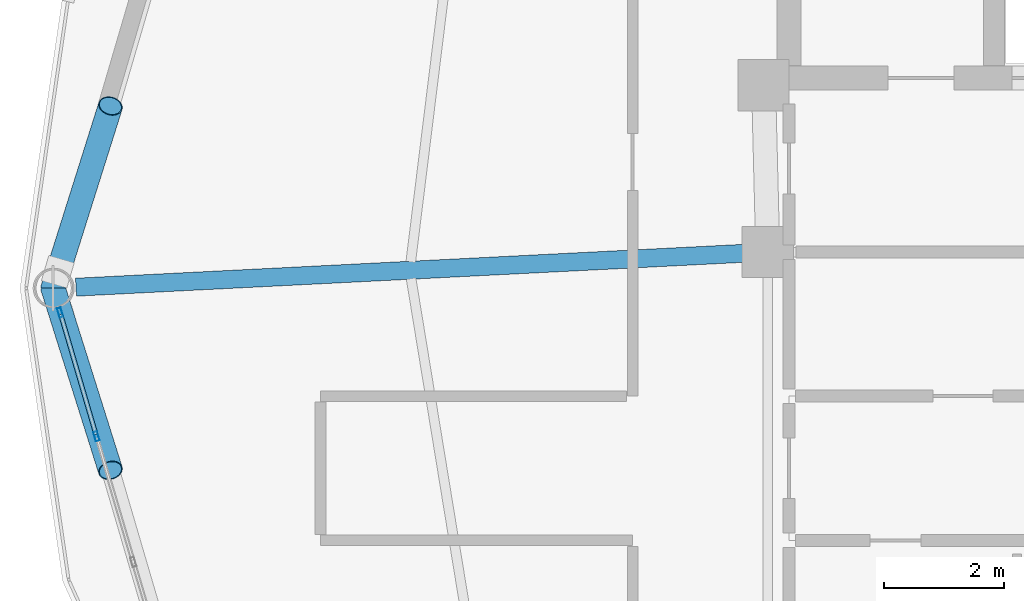
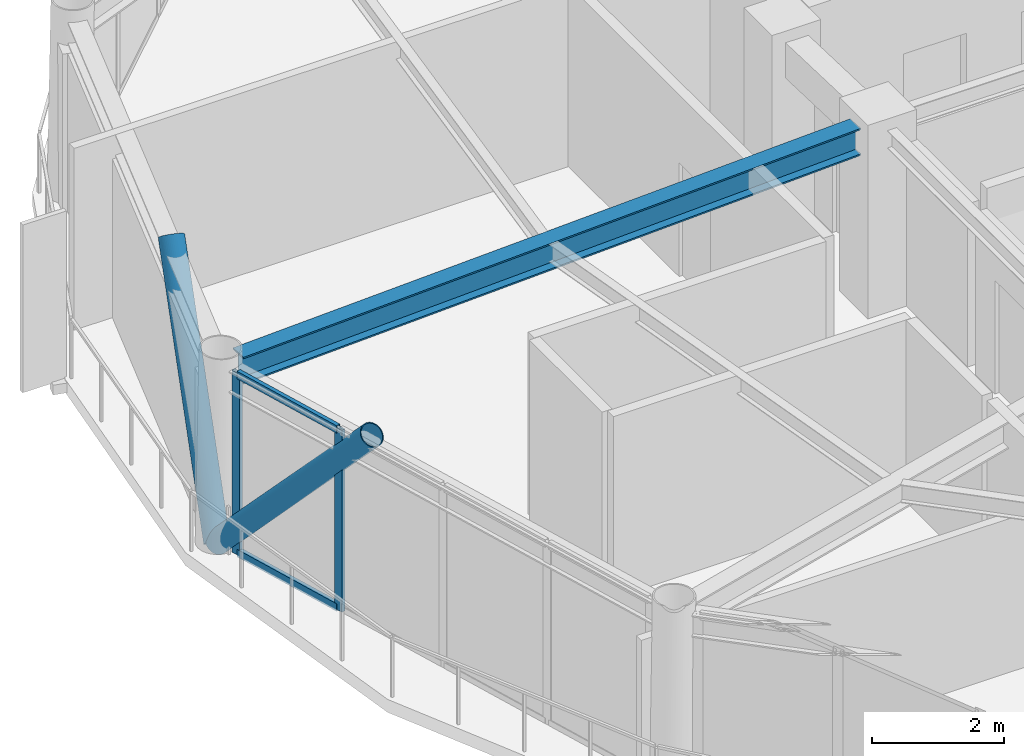
# One storey, part 10 of 28: 6 members, 1 beam, 1 element without a shape of its own.
"""IFC4 building model written with IfcOpenShell, lengths in metres."""

from ifc_helpers import new_model, si_unit, direction, frame, origin, origin_2d, place, context, subcontext, project, spatial, hollow_rectangle, hollow_circle, i_section, extrude, material, layer, layer_set, material_profile, profile_set, type_object, element, aggregate, save


model = new_model("IFC4")

# Units and contexts
model_context = context("Model", 3, precision=1e-05, world=origin(), true_north=direction((0.0, 1.0)))
body_context = subcontext(model_context, "Body", "Model", "MODEL_VIEW")
ifc_project = project(units=[si_unit("LENGTHUNIT", "METRE"), si_unit("AREAUNIT", "SQUARE_METRE"), si_unit("VOLUMEUNIT", "CUBIC_METRE"), si_unit("PLANEANGLEUNIT", "RADIAN"), si_unit("MASSUNIT", "GRAM", prefix="KILO")], contexts=[model_context])

# Site, building, storey
site_placement = place(None, origin())
site = spatial("IfcSite", under=ifc_project, at=site_placement, CompositionType="ELEMENT")
building_placement = place(site_placement, origin())
building = spatial("IfcBuilding", under=site, at=building_placement, Name="Varnakorn Sky Granary", CompositionType="ELEMENT")
storey_placement = place(building_placement, frame((0.0, 0.0, 214.800048828125)))
storey = spatial("IfcBuildingStorey", under=building, at=storey_placement, Name="L54", CompositionType="ELEMENT", Elevation=214.800048828125)

# Beam
ifc_material_1 = material(Name="Steel S355JR", Category="steel")
ifc_material_profile_1 = material_profile(ifc_material_1, i_section(OverallWidth=0.300048828125, OverallDepth=0.5, WebThickness=0.014404296875, FlangeThickness=0.028076171875, at=origin_2d()), Name="HE 500 B")
ifc_profile_set_1 = profile_set([ifc_material_profile_1], Name="Steel S355JR")
beam_type = type_object("IfcBeamType", Name="BM-RAD-Z4", PredefinedType="BEAM", material=ifc_profile_set_1)
beam_placement = place(storey_placement, frame((-2.75439453125, 0.57958984375, 3.10986328125), z_axis=(-0.998717035946, -0.050638741211, 0.0), x_axis=(0.050638741211, -0.998717035946, 0.0)))
element("IfcBeam", 1, at=beam_placement, inside=storey, type_object=beam_type, Name="Radial Floor Girder RG07 L54", PredefinedType="BEAM", context=body_context, shape_type="SweptSolid", body=[
    extrude(i_section(OverallWidth=0.300048828125, OverallDepth=0.5, WebThickness=0.014404296875, FlangeThickness=0.028076171875, at=origin_2d()), origin(), (0.0, 0.0, 1.0), 11.132080078125),
])

# Curtain wall, members
ifc_material_2 = material(Name="Anodised Bronze Aluminium Alloy 6063-T6", Category="aluminium")
ifc_layer = layer(ifc_material_2, 0.169921875, Name="Anodised Bronze Aluminium Alloy 6063-T6")
ifc_layer_set = layer_set([ifc_layer], Name="Anodised Bronze Aluminium Alloy 6063-T6")
curtain_wall_type = type_object("IfcCurtainWallType", Name="CW-LAB-1", PredefinedType="USERDEFINED", material=ifc_layer_set)
curtain_wall_placement = place(storey_placement, origin())
curtain_wall = element("IfcCurtainWall", 2, at=curtain_wall_placement, inside=storey, type_object=curtain_wall_type, Name="Unitised Curtain Wall CW5 CW-L54-B07", ObjectType="CURTAIN WALL", PredefinedType="USERDEFINED")
ifc_material_profile_2 = material_profile(ifc_material_2, hollow_rectangle(XDim=0.06494140625, YDim=0.159912109375, WallThickness=0.00341796875, at=origin_2d()), Name="ALU MULL 65x160")
ifc_profile_set_2 = profile_set([ifc_material_profile_2], Name="Anodised Bronze Aluminium Alloy 6063-T6")
member_type_1 = type_object("IfcMemberType", Name="CW-LAB-1-MULL", PredefinedType="MULLION", material=ifc_profile_set_2)
member_1_placement = place(storey_placement, frame((-13.531005859375, -2.46728515625, 0.0), z_axis=(0.0, 0.0, 1.0), x_axis=(-0.959539962352, -0.281572478502, 0.0)))
member_1 = element("IfcMember", 3, at=member_1_placement, type_object=member_type_1, Name="CW5 mullion 4", PredefinedType="MULLION", context=body_context, shape_type="SweptSolid", body=[
    extrude(hollow_rectangle(XDim=0.06494140625, YDim=0.159912109375, WallThickness=0.00341796875, at=origin_2d()), origin(), (0.0, 0.0, 1.0), 3.35986328125),
])
member_2_placement = place(storey_placement, frame((-14.135986328125, -0.4052734375, 0.0), z_axis=(0.0, 0.0, 1.0), x_axis=(-0.959539962352, -0.281572478502, 0.0)))
member_2 = element("IfcMember", 4, at=member_2_placement, type_object=member_type_1, Name="CW5 mullion 5", PredefinedType="MULLION", context=body_context, shape_type="SweptSolid", body=[
    extrude(hollow_rectangle(XDim=0.06494140625, YDim=0.159912109375, WallThickness=0.00341796875, at=origin_2d()), origin(), (0.0, 0.0, 1.0), 3.35986328125),
])
ifc_material_profile_3 = material_profile(ifc_material_2, hollow_rectangle(XDim=0.070068359375, YDim=0.139892578125, WallThickness=0.00341796875, at=origin_2d()), Name="ALU TRAN 70x140")
ifc_profile_set_3 = profile_set([ifc_material_profile_3], Name="Anodised Bronze Aluminium Alloy 6063-T6")
member_type_2 = type_object("IfcMemberType", Name="CW-LAB-1-TRAN", PredefinedType="USERDEFINED", material=ifc_profile_set_3)
member_3_placement = place(storey_placement, frame((-13.5400390625, -2.436279296875, 0.034912109375), z_axis=(-0.281614506052, 0.959527628566, 0.0), x_axis=(-0.959527628566, -0.281614506052, 0.0)))
member_3 = element("IfcMember", 5, at=member_3_placement, type_object=member_type_2, Name="CW5 transom 4.1", ObjectType="TRANSOM", PredefinedType="USERDEFINED", context=body_context, shape_type="SweptSolid", body=[
    extrude(hollow_rectangle(XDim=0.070068359375, YDim=0.139892578125, WallThickness=0.00341796875, at=origin_2d()), origin(), (0.0, 0.0, 1.0), 2.083984375),
])
member_4_placement = place(storey_placement, frame((-13.5400390625, -2.436279296875, 3.324951171875), z_axis=(-0.281614506052, 0.959527628566, 0.0), x_axis=(-0.959527628566, -0.281614506052, 0.0)))
member_4 = element("IfcMember", 6, at=member_4_placement, type_object=member_type_2, Name="CW5 transom 4.2", ObjectType="TRANSOM", PredefinedType="USERDEFINED", context=body_context, shape_type="SweptSolid", body=[
    extrude(hollow_rectangle(XDim=0.070068359375, YDim=0.139892578125, WallThickness=0.00341796875, at=origin_2d()), origin(), (0.0, 0.0, 1.0), 2.083984375),
])
aggregate(curtain_wall, [member_1, member_2, member_3, member_4])

# Members
ifc_material_3 = material(Name="Steel S460M", Category="steel")
ifc_material_profile_4 = material_profile(ifc_material_3, hollow_circle(Radius=0.203125, WallThickness=0.01611328125, at=origin_2d()), Name="CHS 406.4x16")
ifc_profile_set_4 = profile_set([ifc_material_profile_4], Name="Steel S460M")
member_type_3 = type_object("IfcMemberType", Name="MB-DIAG-T4", PredefinedType="BRACE", material=ifc_profile_set_4)
for number, where, z_axis, x_axis, name in (
    (7, (-14.2548828125, 0.0, 0.0), (0.202632506322, 0.642582828083, 0.738936652518), (-0.9537054922, 0.300742138961, 0.0), "Perimeter CHS Diagrid Brace DG06 L54"),
    (8, (-14.2548828125, 0.0, 0.0), (0.202632506322, -0.642582828083, 0.738936652518), (0.9537054922, 0.300742138961, 0.0), "Perimeter CHS Diagrid Brace DG07 L54"),
):
    element("IfcMember", number, at=place(storey_placement, frame(where, z_axis=z_axis, x_axis=x_axis)), inside=storey, type_object=member_type_3, Name=name, PredefinedType="BRACE", context=body_context, shape_type="SweptSolid", body=[
        extrude(hollow_circle(Radius=0.203125, WallThickness=0.01611328125, at=origin_2d()), origin(), (0.0, 0.0, 1.0), 4.722900390625),
    ])

save(model, "model.ifc")
